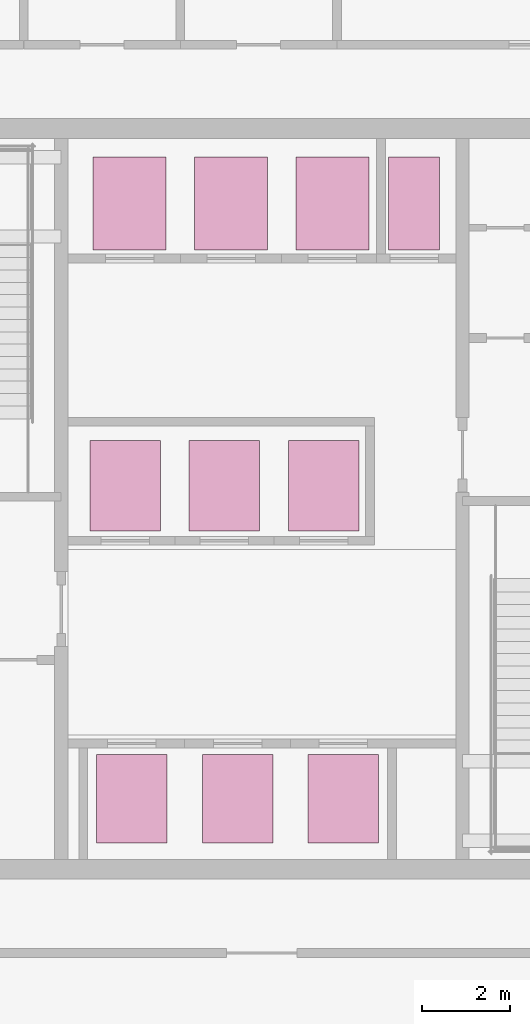
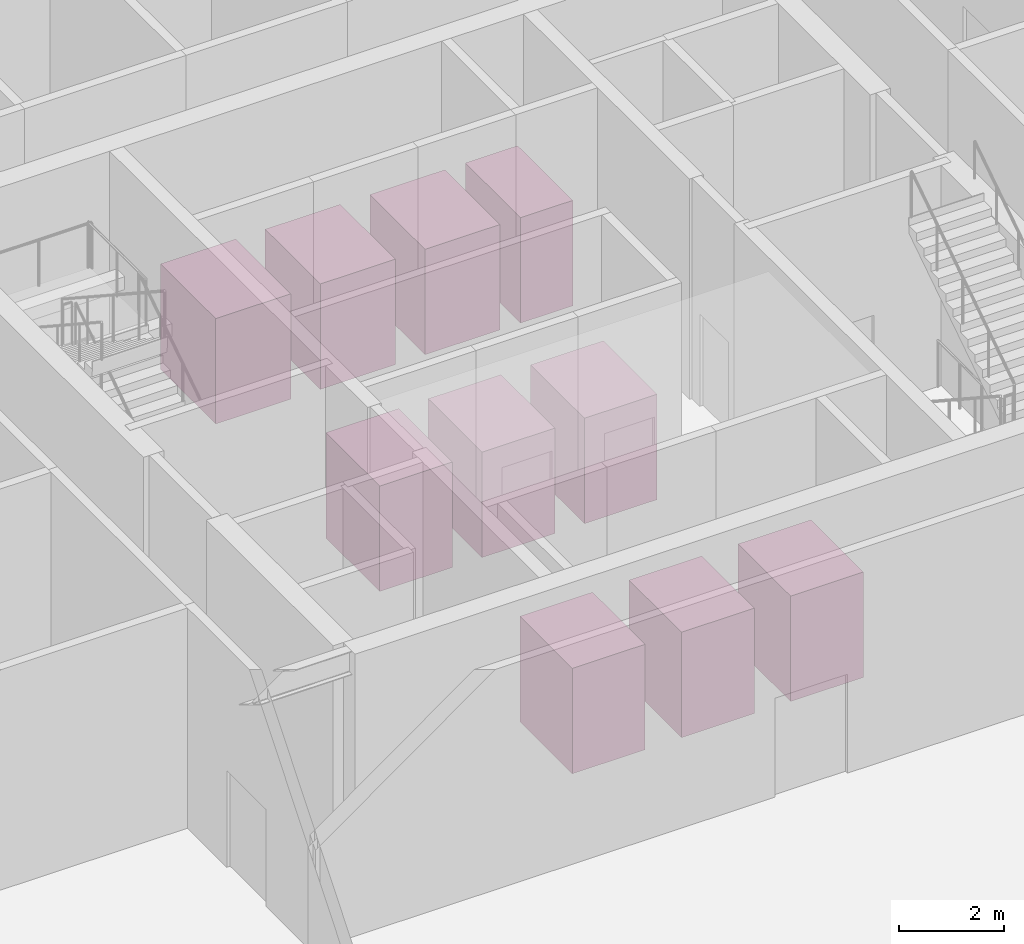
# One storey, part 15 of 15: 10 transport elements.
"""IFC4 building model written with IfcOpenShell, lengths in metres."""

from ifc_helpers import new_model, si_unit, direction, frame, origin, origin_2d, place, context, subcontext, project, spatial, rectangle, extrude, source, transform, mapped, material, type_object, element, save


model = new_model("IFC4")

# Units and contexts
model_context = context("Model", 3, precision=1e-05, world=origin(), true_north=direction((0.0, 1.0)))
body_context = subcontext(model_context, "Body", "Model", "MODEL_VIEW")
ifc_project = project(units=[si_unit("LENGTHUNIT", "METRE"), si_unit("AREAUNIT", "SQUARE_METRE"), si_unit("VOLUMEUNIT", "CUBIC_METRE"), si_unit("PLANEANGLEUNIT", "RADIAN"), si_unit("MASSUNIT", "GRAM", prefix="KILO")], contexts=[model_context])

# Site, building, storey
site_placement = place(None, origin())
site = spatial("IfcSite", under=ifc_project, at=site_placement, CompositionType="ELEMENT")
building_placement = place(site_placement, origin())
building = spatial("IfcBuilding", under=site, at=building_placement, Name="Serunith Strait Residences", CompositionType="ELEMENT")
storey_placement = place(building_placement, origin())
storey = spatial("IfcBuildingStorey", under=building, at=storey_placement, Name="L00", CompositionType="ELEMENT", Elevation=0.0)

# Transport elements
ifc_material_1 = material(Name="Pale-champagne stainless passenger lift car")
transport_element_type_1 = type_object("IfcTransportElementType", Name="LIFT-PASS-Z1", PredefinedType="ELEVATOR", material=ifc_material_1)
shared_shape_1 = source(origin(), body_context, "Body", "SweptSolid", [
    extrude(rectangle(XDim=1.60009765625, YDim=2.0, at=origin_2d()), origin(), (0.0, 0.0, 1.0), 2.449951171875),
])
for number, where, z_axis, x_axis, name in (
    (1, (29.449951171875, 18.39990234375, 0.0), (0.0, 0.0, 1.0), (1.0, 0.0, 0.0), "Low-Zone Passenger Lift PL-1 (PL-1)"),
    (2, (31.85009765625, 18.39990234375, 0.0), (0.0, 0.0, 1.0), (1.0, 0.0, 0.0), "Low-Zone Passenger Lift PL-2 (PL-2)"),
    (3, (34.25, 18.39990234375, 0.0), (0.0, 0.0, 1.0), (1.0, 0.0, 0.0), "Low-Zone Passenger Lift PL-3 (PL-3)"),
):
    element("IfcTransportElement", number, at=place(storey_placement, frame(where, z_axis=z_axis, x_axis=x_axis)), inside=storey, type_object=transport_element_type_1, Name=name, PredefinedType="ELEVATOR", context=body_context, shape_type="MappedRepresentation", body=[
        mapped(shared_shape_1, transform((0.0, 0.0, 0.0), scale=1.0)),
    ])
transport_element_type_2 = type_object("IfcTransportElementType", Name="LIFT-PASS-Z2", PredefinedType="ELEVATOR", material=ifc_material_1)
shared_shape_2 = source(origin(), body_context, "Body", "SweptSolid", [
    extrude(rectangle(XDim=1.60009765625, YDim=2.050048828125, at=origin_2d()), origin(), (0.0, 0.0, 1.0), 2.449951171875),
])
for number, where, z_axis, x_axis, name in (
    (4, (29.300048828125, 25.5, 0.0), (0.0, 0.0, 1.0), (1.0, 0.0, 0.0), "Mid-Zone Passenger Lift PL-4 (PL-4)"),
    (5, (31.550048828125, 25.5, 0.0), (0.0, 0.0, 1.0), (1.0, 0.0, 0.0), "Mid-Zone Passenger Lift PL-5 (PL-5)"),
    (6, (33.800048828125, 25.5, 0.0), (0.0, 0.0, 1.0), (1.0, 0.0, 0.0), "Mid-Zone Passenger Lift PL-6 (PL-6)"),
):
    element("IfcTransportElement", number, at=place(storey_placement, frame(where, z_axis=z_axis, x_axis=x_axis)), inside=storey, type_object=transport_element_type_2, Name=name, PredefinedType="ELEVATOR", context=body_context, shape_type="MappedRepresentation", body=[
        mapped(shared_shape_2, transform((0.0, 0.0, 0.0), scale=1.0)),
    ])
transport_element_type_3 = type_object("IfcTransportElementType", Name="LIFT-PASS-Z3", PredefinedType="ELEVATOR", material=ifc_material_1)
shared_shape_3 = source(origin(), body_context, "Body", "SweptSolid", [
    extrude(rectangle(XDim=1.64990234375, YDim=2.10009765625, at=origin_2d()), origin(), (0.0, 0.0, 1.0), 2.449951171875),
])
for number, where, z_axis, x_axis, name in (
    (7, (29.39990234375, 31.89990234375, 0.0), (0.0, 0.0, 1.0), (1.0, 0.0, 0.0), "High-Zone Passenger Lift PL-7 (PL-7)"),
    (8, (31.699951171875, 31.89990234375, 0.0), (0.0, 0.0, 1.0), (1.0, 0.0, 0.0), "High-Zone Passenger Lift PL-8 (PL-8)"),
    (9, (34.0, 31.89990234375, 0.0), (0.0, 0.0, 1.0), (1.0, 0.0, 0.0), "High-Zone Passenger Lift PL-9 (PL-9)"),
):
    element("IfcTransportElement", number, at=place(storey_placement, frame(where, z_axis=z_axis, x_axis=x_axis)), inside=storey, type_object=transport_element_type_3, Name=name, PredefinedType="ELEVATOR", context=body_context, shape_type="MappedRepresentation", body=[
        mapped(shared_shape_3, transform((0.0, 0.0, 0.0), scale=1.0)),
    ])
ifc_material_2 = material(Name="Brushed stainless shuttle lift car")
transport_element_type_4 = type_object("IfcTransportElementType", Name="LIFT-SVC-SL", PredefinedType="ELEVATOR", material=ifc_material_2)
shared_shape_4 = source(origin(), body_context, "Body", "SweptSolid", [
    extrude(rectangle(XDim=1.14990234375, YDim=2.10009765625, at=origin_2d()), origin(), (0.0, 0.0, 1.0), 2.449951171875),
])
transport_element_placement = place(storey_placement, frame((35.85009765625, 31.89990234375, 0.0), z_axis=(0.0, 0.0, 1.0), x_axis=(1.0, 0.0, 0.0)))
element("IfcTransportElement", 10, at=transport_element_placement, inside=storey, type_object=transport_element_type_4, Name="Sky-Garden Service Shuttle Lift SL-1 (SL-1)", PredefinedType="ELEVATOR", context=body_context, shape_type="MappedRepresentation", body=[
    mapped(shared_shape_4, transform((0.0, 0.0, 0.0), scale=1.0)),
])

save(model, "model.ifc")
